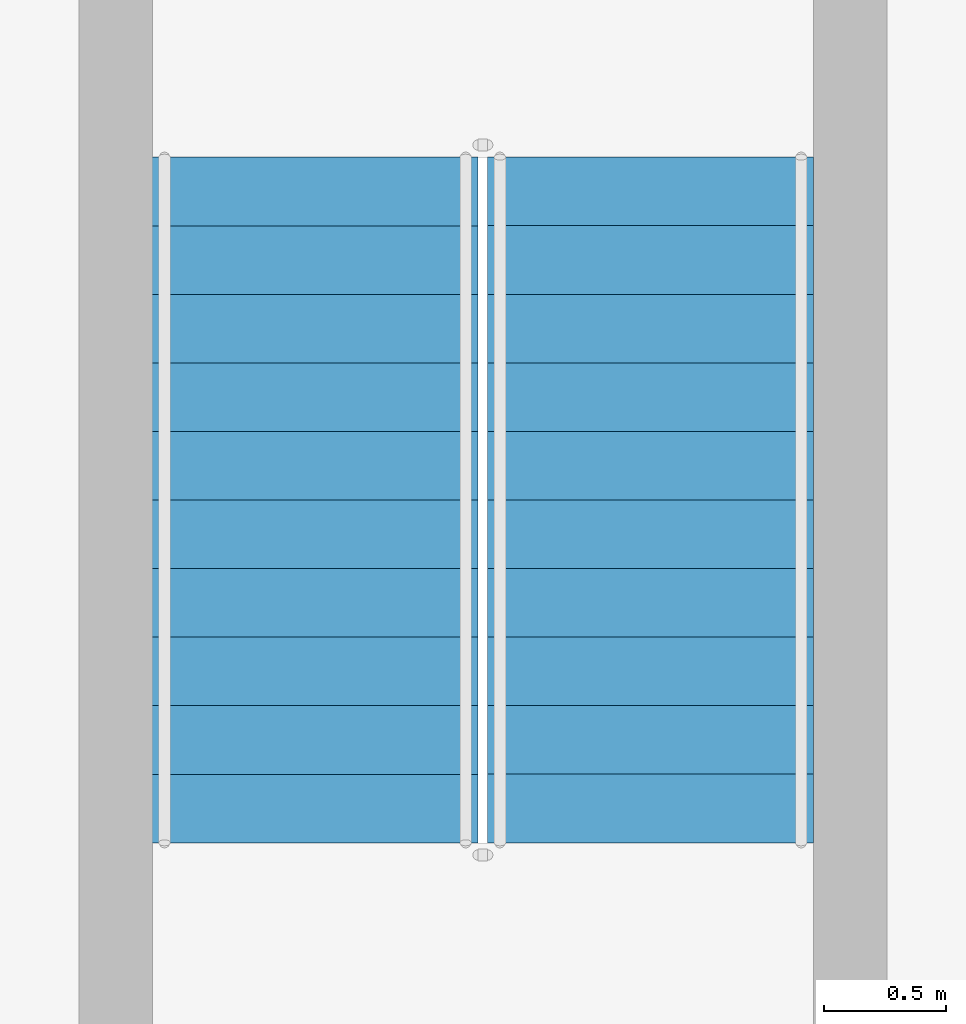
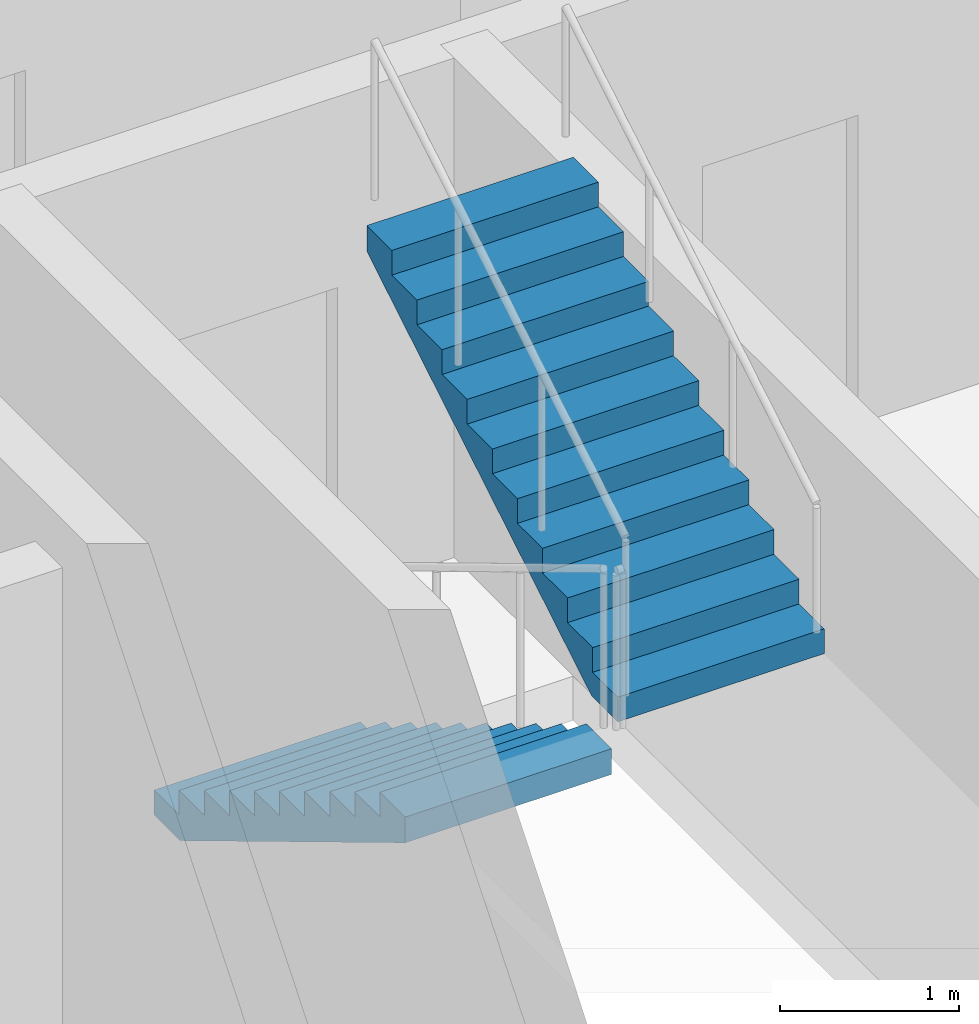
# One storey, part 14 of 17: 2 stair flights, 1 element without a shape of its own.
"""IFC4 building model written with IfcOpenShell, lengths in metres."""

import ifcopenshell
import ifcopenshell.guid

model = None  # the IFC model being written
_history = None  # IfcOwnerHistory: only IFC2X3 demands one
_inside = {}  # id of a spatial element -> (the spatial element, [elements in it])
_under = {}  # id of a project, library or spatial element -> (it, [spatial elements below it])
_declared = {}  # id of a project -> (the project, [libraries it declares])
_typed = {}  # id of a type object -> (the type object, [elements of that type])
_made_of = {}  # id of a material, layer set ... -> (it, [elements and type objects made of it])


def new_model(schema):
    """Start an empty IFC model of exactly this schema.

    Asked for "IFC4X3", IfcOpenShell would pick the latest addendum, in which some entities
    have other attributes; the version numbers below select the first issue.
    IFC2X3 requires an IfcOwnerHistory on every rooted entity: one is made here for all.
    """
    global model, _history
    if schema == "IFC4X3":
        model = ifcopenshell.file(schema_version=(4, 3, 0, 0))
    else:
        model = ifcopenshell.file(schema=schema)
    _inside.clear()
    _under.clear()
    _declared.clear()
    _typed.clear()
    _made_of.clear()
    _history = None
    if model.schema == "IFC2X3":
        org = make("IfcOrganization", Name="unknown")
        user = make(
            "IfcPersonAndOrganization",
            ThePerson=make("IfcPerson", FamilyName="unknown"),
            TheOrganization=org,
        )
        app = make(
            "IfcApplication",
            ApplicationDeveloper=org,
            Version="unknown",
            ApplicationFullName="unknown",
            ApplicationIdentifier="unknown",
        )
        _history = make(
            "IfcOwnerHistory",
            OwningUser=user,
            OwningApplication=app,
            ChangeAction="ADDED",
            CreationDate=0,
        )
    return model


def make(cls, **values):
    """One entity of the class cls with the attributes given. An attribute that is None is left unset."""
    return model.create_entity(
        cls, **{name: value for name, value in values.items() if value is not None}
    )


def rooted(cls, **values):
    """An entity with a GlobalId (a new one), such as an element, a storey or a relation."""
    return make(cls, GlobalId=ifcopenshell.guid.new(), OwnerHistory=_history, **values)


def si_unit(unit_type, name, prefix=None):
    """IfcSIUnit, for example si_unit("LENGTHUNIT", "METRE", prefix="MILLI")."""
    return make("IfcSIUnit", UnitType=unit_type, Prefix=prefix, Name=name)


def assignment(units):
    """IfcUnitAssignment: the units of a project."""
    return None if units is None else make("IfcUnitAssignment", Units=units)


def point(xyz):
    """IfcCartesianPoint."""
    return None if xyz is None else make("IfcCartesianPoint", Coordinates=xyz)


def direction(xyz):
    """IfcDirection."""
    return None if xyz is None else make("IfcDirection", DirectionRatios=xyz)


def frame(location, z_axis=None, x_axis=None):
    """IfcAxis2Placement3D, a coordinate frame: its origin and axes. An axis left out is left unset."""
    return make(
        "IfcAxis2Placement3D",
        Location=point(location),
        Axis=direction(z_axis),
        RefDirection=direction(x_axis),
    )


def origin():
    """The frame at (0, 0, 0) with its axes left unset."""
    return frame((0.0, 0.0, 0.0))


def place(relative_to, where):
    """IfcLocalPlacement: puts the frame where relative to a parent placement (None: the world)."""
    return make(
        "IfcLocalPlacement", PlacementRelTo=relative_to, RelativePlacement=where
    )


def context(
    kind, dimensions, precision=None, world=None, true_north=None, identifier=None
):
    """IfcGeometricRepresentationContext, for example the 3D "Model" context."""
    return make(
        "IfcGeometricRepresentationContext",
        ContextIdentifier=identifier,
        ContextType=kind,
        CoordinateSpaceDimension=dimensions,
        Precision=precision,
        WorldCoordinateSystem=world,
        TrueNorth=true_north,
    )


def subcontext(parent, identifier, kind, view, scale=None):
    """IfcGeometricRepresentationSubContext, for example "Body" below "Model"."""
    return make(
        "IfcGeometricRepresentationSubContext",
        ContextIdentifier=identifier,
        ContextType=kind,
        ParentContext=parent,
        TargetScale=scale,
        TargetView=view,
    )


def project(units=None, contexts=None):
    """IfcProject with its units and contexts."""
    return rooted(
        "IfcProject",
        Name="project",
        RepresentationContexts=contexts,
        UnitsInContext=assignment(units),
    )


def spatial(cls, under=None, at=None, **own):
    """A site, building, storey or space (cls), placed at a placement, below another one or the project."""
    s = rooted(cls, ObjectPlacement=at, **own)
    if under is not None:
        _under.setdefault(under.id(), (under, []))[1].append(s)
    return s


def point_list(points):
    """IfcCartesianPointList2D or 3D."""
    cls = (
        "IfcCartesianPointList2D" if len(points[0]) == 2 else "IfcCartesianPointList3D"
    )
    return make(cls, CoordList=points)


def triangles(points, corners, closed=None, point_numbers=None):
    """IfcTriangulatedFaceSet: each triangle names its three corners, points numbered from 1."""
    return make(
        "IfcTriangulatedFaceSet",
        Coordinates=point_list(points),
        Closed=closed,
        CoordIndex=corners,
        PnIndex=point_numbers,
    )


def shape(context_of_items, identifier, shape_type, items):
    """IfcShapeRepresentation: the items that make up one representation, for example the "Body"."""
    return make(
        "IfcShapeRepresentation",
        ContextOfItems=context_of_items,
        RepresentationIdentifier=identifier,
        RepresentationType=shape_type,
        Items=items,
    )


def source(mapping_origin, context_of_items, identifier, shape_type, items):
    """IfcRepresentationMap: a shape defined once, which mapped items show again and again."""
    return make(
        "IfcRepresentationMap",
        MappingOrigin=mapping_origin,
        MappedRepresentation=shape(context_of_items, identifier, shape_type, items),
    )


def transform(
    local_origin,
    x_axis=None,
    y_axis=None,
    z_axis=None,
    scale=None,
    scale2=None,
    scale3=None,
    uniform=True,
):
    """IfcCartesianTransformationOperator3D, or its non-uniform kind. x_axis, y_axis, z_axis: its Axis1, 2, 3."""
    if uniform:
        return make(
            "IfcCartesianTransformationOperator3D",
            Axis1=direction(x_axis),
            Axis2=direction(y_axis),
            LocalOrigin=point(local_origin),
            Scale=scale,
            Axis3=direction(z_axis),
        )
    return make(
        "IfcCartesianTransformationOperator3DnonUniform",
        Axis1=direction(x_axis),
        Axis2=direction(y_axis),
        LocalOrigin=point(local_origin),
        Scale=scale,
        Axis3=direction(z_axis),
        Scale2=scale2,
        Scale3=scale3,
    )


def mapped(mapping_source, mapping_target):
    """IfcMappedItem: shows the shape of a source again, moved by a transform."""
    return make(
        "IfcMappedItem", MappingSource=mapping_source, MappingTarget=mapping_target
    )


def material(Name=None, Category=None):
    """IfcMaterial."""
    return make("IfcMaterial", Name=Name, Category=Category)


def made_of(thing, what):
    """Note that an element or type object is made of a material, layer set ...; save() writes the relation."""
    if what is not None:
        _made_of.setdefault(what.id(), (what, []))[1].append(thing)
    return thing


def type_object(cls, material=None, **own):
    """A type object (cls), such as IfcWallType, which elements share."""
    return made_of(rooted(cls, **own), material)


def element(
    cls,
    number,
    at=None,
    inside=None,
    cuts=None,
    type_object=None,
    material=None,
    context=None,
    identifier="Body",
    shape_type=None,
    held_by="IfcProductDefinitionShape",
    body=None,
    shapes=None,
    **own,
):
    """One element of the class cls, such as IfcWall. Its Tag is "e" and its number.

    at: its placement. inside: the storey or other place that contains it. cuts: it is an
    opening in that element (IfcRelVoidsElement). A single representation is given by context,
    identifier, shape_type and body (its items); several are given by shapes. held_by: the class
    of the entity that holds the representations. save() writes the other relations.
    """
    e = rooted(cls, Tag="e%d" % number, ObjectPlacement=at, **own)
    if body is not None:
        shapes = [shape(context, identifier, shape_type, body)]
    if shapes is not None:
        e.Representation = make(held_by, Representations=shapes)
    if inside is not None:
        _inside.setdefault(inside.id(), (inside, []))[1].append(e)
    if cuts is not None:
        rooted(
            "IfcRelVoidsElement", RelatingBuildingElement=cuts, RelatedOpeningElement=e
        )
    if type_object is not None:
        _typed.setdefault(type_object.id(), (type_object, []))[1].append(e)
    return made_of(e, material)


def aggregate(whole, parts):
    """IfcRelAggregates: a whole, such as a stair, and the parts it consists of."""
    return rooted("IfcRelAggregates", RelatingObject=whole, RelatedObjects=parts)


def save(model, path):
    """Write the relations noted so far, then the file.

    IfcRelAggregates (storeys below a building ...), IfcRelContainedInSpatialStructure (elements
    in a storey), IfcRelDefinesByType, IfcRelAssociatesMaterial and IfcRelDeclares: one each for
    every whole, place, type object, material and project.
    """
    for whole, parts in _under.values():
        aggregate(whole, parts)
    for where, things in _inside.values():
        rooted(
            "IfcRelContainedInSpatialStructure",
            RelatedElements=things,
            RelatingStructure=where,
        )
    for kind, things in _typed.values():
        rooted("IfcRelDefinesByType", RelatedObjects=things, RelatingType=kind)
    for what, things in _made_of.values():
        rooted("IfcRelAssociatesMaterial", RelatedObjects=things, RelatingMaterial=what)
    for by, libraries in _declared.values():
        rooted("IfcRelDeclares", RelatingContext=by, RelatedDefinitions=libraries)
    model.write(path)


model = new_model("IFC4")

# Units and contexts
model_context = context("Model", 3, precision=1e-05, world=origin(), true_north=direction((0.0, 1.0)))
body_context = subcontext(model_context, "Body", "Model", "MODEL_VIEW")
ifc_project = project(units=[si_unit("LENGTHUNIT", "METRE"), si_unit("AREAUNIT", "SQUARE_METRE"), si_unit("VOLUMEUNIT", "CUBIC_METRE"), si_unit("PLANEANGLEUNIT", "RADIAN"), si_unit("MASSUNIT", "GRAM", prefix="KILO")], contexts=[model_context])

# Site, building, storey
site_placement = place(None, origin())
site = spatial("IfcSite", under=ifc_project, at=site_placement, CompositionType="ELEMENT")
building_placement = place(site_placement, origin())
building = spatial("IfcBuilding", under=site, at=building_placement, Name="Ogive Portal Towers", CompositionType="ELEMENT")
storey_placement = place(building_placement, frame((0.0, 0.0, 221.699951171875)))
storey = spatial("IfcBuildingStorey", under=building, at=storey_placement, Name="L55", CompositionType="ELEMENT", Elevation=221.699951171875)

# Stair, stair flights
ifc_material = material(Name="Concrete C40/50", Category="concrete")
stair_type = type_object("IfcStairType", Name="INT-STAIR", PredefinedType="HALF_TURN_STAIR", material=ifc_material)
stair_placement = place(storey_placement, origin())
stair = element("IfcStair", 1, at=stair_placement, inside=storey, type_object=stair_type, Name="L55 Exit Stair ST-A4", PredefinedType="HALF_TURN_STAIR")
stair_flight_type = type_object("IfcStairFlightType", Name="INT-FLIGHT", PredefinedType="STRAIGHT", material=ifc_material)
shared_shape = source(origin(), body_context, "Body", "Tessellation", [
    triangles([(0.0, -0.6650390625, 0.0), (0.0, -0.384765625, 0.0), (0.0, -0.197021484375, 0.0), (0.0, -0.0830078125, 0.0), (0.0, -0.024658203125, 0.0), (0.0, -0.003173828125, 0.0), (0.0, 0.0, 0.0), (0.0, 0.003173828125, 0.0), (0.0, 0.024658203125, 0.0), (0.0, 0.0830078125, 0.0), (0.0, 0.197021484375, 0.0), (0.0, 0.384765625, 0.0), (0.0, 0.6650390625, 0.0), (0.0, -0.6650390625, 0.168212890625), (0.0, -0.384765625, 0.168212890625), (0.0, -0.197021484375, 0.168212890625), (0.0, -0.0830078125, 0.168212890625), (0.0, -0.024658203125, 0.168212890625), (0.0, -0.003173828125, 0.168212890625), (0.0, 0.0, 0.168212890625), (0.0, 0.003173828125, 0.168212890625), (0.0, 0.024658203125, 0.168212890625), (0.0, 0.0830078125, 0.168212890625), (0.0, 0.197021484375, 0.168212890625), (0.0, 0.384765625, 0.168212890625), (0.0, 0.6650390625, 0.168212890625), (0.280029296875, -0.6650390625, 0.168212890625), (0.280029296875, -0.384765625, 0.168212890625), (0.280029296875, -0.197021484375, 0.168212890625), (0.280029296875, -0.0830078125, 0.168212890625), (0.280029296875, -0.024658203125, 0.168212890625), (0.280029296875, -0.003173828125, 0.168212890625), (0.280029296875, 0.0, 0.168212890625), (0.280029296875, 0.003173828125, 0.168212890625), (0.280029296875, 0.024658203125, 0.168212890625), (0.280029296875, 0.0830078125, 0.168212890625), (0.280029296875, 0.197021484375, 0.168212890625), (0.280029296875, 0.384765625, 0.168212890625), (0.280029296875, 0.6650390625, 0.168212890625), (0.280029296875, -0.6650390625, 0.33642578125), (0.280029296875, -0.384765625, 0.33642578125), (0.280029296875, -0.197021484375, 0.33642578125), (0.280029296875, -0.0830078125, 0.33642578125), (0.280029296875, -0.024658203125, 0.33642578125), (0.280029296875, -0.003173828125, 0.33642578125), (0.280029296875, 0.0, 0.33642578125), (0.280029296875, 0.003173828125, 0.33642578125), (0.280029296875, 0.024658203125, 0.33642578125), (0.280029296875, 0.0830078125, 0.33642578125), (0.280029296875, 0.197021484375, 0.33642578125), (0.280029296875, 0.384765625, 0.33642578125), (0.280029296875, 0.6650390625, 0.33642578125), (0.56005859375, -0.6650390625, 0.33642578125), (0.56005859375, -0.384765625, 0.33642578125), (0.56005859375, -0.197021484375, 0.33642578125), (0.56005859375, -0.0830078125, 0.33642578125), (0.56005859375, -0.024658203125, 0.33642578125), (0.56005859375, -0.003173828125, 0.33642578125), (0.56005859375, 0.0, 0.33642578125), (0.56005859375, 0.003173828125, 0.33642578125), (0.56005859375, 0.024658203125, 0.33642578125), (0.56005859375, 0.0830078125, 0.33642578125), (0.56005859375, 0.197021484375, 0.33642578125), (0.56005859375, 0.384765625, 0.33642578125), (0.56005859375, 0.6650390625, 0.33642578125), (0.56005859375, -0.6650390625, 0.504638671875), (0.56005859375, -0.384765625, 0.504638671875), (0.56005859375, -0.197021484375, 0.504638671875), (0.56005859375, -0.0830078125, 0.504638671875), (0.56005859375, -0.024658203125, 0.504638671875), (0.56005859375, -0.003173828125, 0.504638671875), (0.56005859375, 0.0, 0.504638671875), (0.56005859375, 0.003173828125, 0.504638671875), (0.56005859375, 0.024658203125, 0.504638671875), (0.56005859375, 0.0830078125, 0.504638671875), (0.56005859375, 0.197021484375, 0.504638671875), (0.56005859375, 0.384765625, 0.504638671875), (0.56005859375, 0.6650390625, 0.504638671875), (0.840087890625, -0.6650390625, 0.504638671875), (0.840087890625, -0.384765625, 0.504638671875), (0.840087890625, -0.197021484375, 0.504638671875), (0.840087890625, -0.0830078125, 0.504638671875), (0.840087890625, -0.024658203125, 0.504638671875), (0.840087890625, -0.003173828125, 0.504638671875), (0.840087890625, 0.0, 0.504638671875), (0.840087890625, 0.003173828125, 0.504638671875), (0.840087890625, 0.024658203125, 0.504638671875), (0.840087890625, 0.0830078125, 0.504638671875), (0.840087890625, 0.197021484375, 0.504638671875), (0.840087890625, 0.384765625, 0.504638671875), (0.840087890625, 0.6650390625, 0.504638671875), (0.840087890625, -0.6650390625, 0.672607421875), (0.840087890625, -0.384765625, 0.672607421875), (0.840087890625, -0.197021484375, 0.672607421875), (0.840087890625, -0.0830078125, 0.672607421875), (0.840087890625, -0.024658203125, 0.672607421875), (0.840087890625, -0.003173828125, 0.672607421875), (0.840087890625, 0.0, 0.672607421875), (0.840087890625, 0.003173828125, 0.672607421875), (0.840087890625, 0.024658203125, 0.672607421875), (0.840087890625, 0.0830078125, 0.672607421875), (0.840087890625, 0.197021484375, 0.672607421875), (0.840087890625, 0.384765625, 0.672607421875), (0.840087890625, 0.6650390625, 0.672607421875), (1.1201171875, -0.6650390625, 0.672607421875), (1.1201171875, -0.384765625, 0.672607421875), (1.1201171875, -0.197021484375, 0.672607421875), (1.1201171875, -0.0830078125, 0.672607421875), (1.1201171875, -0.024658203125, 0.672607421875), (1.1201171875, -0.003173828125, 0.672607421875), (1.1201171875, 0.0, 0.672607421875), (1.1201171875, 0.003173828125, 0.672607421875), (1.1201171875, 0.024658203125, 0.672607421875), (1.1201171875, 0.0830078125, 0.672607421875), (1.1201171875, 0.197021484375, 0.672607421875), (1.1201171875, 0.384765625, 0.672607421875), (1.1201171875, 0.6650390625, 0.672607421875), (1.1201171875, -0.6650390625, 0.8408203125), (1.1201171875, -0.384765625, 0.8408203125), (1.1201171875, -0.197021484375, 0.8408203125), (1.1201171875, -0.0830078125, 0.8408203125), (1.1201171875, -0.024658203125, 0.8408203125), (1.1201171875, -0.003173828125, 0.8408203125), (1.1201171875, 0.0, 0.8408203125), (1.1201171875, 0.003173828125, 0.8408203125), (1.1201171875, 0.024658203125, 0.8408203125), (1.1201171875, 0.0830078125, 0.8408203125), (1.1201171875, 0.197021484375, 0.8408203125), (1.1201171875, 0.384765625, 0.8408203125), (1.1201171875, 0.6650390625, 0.8408203125), (1.39990234375, -0.6650390625, 0.8408203125), (1.39990234375, -0.384765625, 0.8408203125), (1.39990234375, -0.197021484375, 0.8408203125), (1.39990234375, -0.0830078125, 0.8408203125), (1.39990234375, -0.024658203125, 0.8408203125), (1.39990234375, -0.003173828125, 0.8408203125), (1.39990234375, 0.0, 0.8408203125), (1.39990234375, 0.003173828125, 0.8408203125), (1.39990234375, 0.024658203125, 0.8408203125), (1.39990234375, 0.0830078125, 0.8408203125), (1.39990234375, 0.197021484375, 0.8408203125), (1.39990234375, 0.384765625, 0.8408203125), (1.39990234375, 0.6650390625, 0.8408203125), (1.39990234375, -0.6650390625, 1.009033203125), (1.39990234375, -0.384765625, 1.009033203125), (1.39990234375, -0.197021484375, 1.009033203125), (1.39990234375, -0.0830078125, 1.009033203125), (1.39990234375, -0.024658203125, 1.009033203125), (1.39990234375, -0.003173828125, 1.009033203125), (1.39990234375, 0.0, 1.009033203125), (1.39990234375, 0.003173828125, 1.009033203125), (1.39990234375, 0.024658203125, 1.009033203125), (1.39990234375, 0.0830078125, 1.009033203125), (1.39990234375, 0.197021484375, 1.009033203125), (1.39990234375, 0.384765625, 1.009033203125), (1.39990234375, 0.6650390625, 1.009033203125), (1.679931640625, -0.6650390625, 1.009033203125), (1.679931640625, -0.384765625, 1.009033203125), (1.679931640625, -0.197021484375, 1.009033203125), (1.679931640625, -0.0830078125, 1.009033203125), (1.679931640625, -0.024658203125, 1.009033203125), (1.679931640625, -0.003173828125, 1.009033203125), (1.679931640625, 0.0, 1.009033203125), (1.679931640625, 0.003173828125, 1.009033203125), (1.679931640625, 0.024658203125, 1.009033203125), (1.679931640625, 0.0830078125, 1.009033203125), (1.679931640625, 0.197021484375, 1.009033203125), (1.679931640625, 0.384765625, 1.009033203125), (1.679931640625, 0.6650390625, 1.009033203125), (1.679931640625, -0.6650390625, 1.17724609375), (1.679931640625, -0.384765625, 1.17724609375), (1.679931640625, -0.197021484375, 1.17724609375), (1.679931640625, -0.0830078125, 1.17724609375), (1.679931640625, -0.024658203125, 1.17724609375), (1.679931640625, -0.003173828125, 1.17724609375), (1.679931640625, 0.0, 1.17724609375), (1.679931640625, 0.003173828125, 1.17724609375), (1.679931640625, 0.024658203125, 1.17724609375), (1.679931640625, 0.0830078125, 1.17724609375), (1.679931640625, 0.197021484375, 1.17724609375), (1.679931640625, 0.384765625, 1.17724609375), (1.679931640625, 0.6650390625, 1.17724609375), (1.9599609375, -0.6650390625, 1.17724609375), (1.9599609375, -0.384765625, 1.17724609375), (1.9599609375, -0.197021484375, 1.17724609375), (1.9599609375, -0.0830078125, 1.17724609375), (1.9599609375, -0.024658203125, 1.17724609375), (1.9599609375, -0.003173828125, 1.17724609375), (1.9599609375, 0.0, 1.17724609375), (1.9599609375, 0.003173828125, 1.17724609375), (1.9599609375, 0.024658203125, 1.17724609375), (1.9599609375, 0.0830078125, 1.17724609375), (1.9599609375, 0.197021484375, 1.17724609375), (1.9599609375, 0.384765625, 1.17724609375), (1.9599609375, 0.6650390625, 1.17724609375), (1.9599609375, -0.6650390625, 1.345458984375), (1.9599609375, -0.384765625, 1.345458984375), (1.9599609375, -0.197021484375, 1.345458984375), (1.9599609375, -0.0830078125, 1.345458984375), (1.9599609375, -0.024658203125, 1.345458984375), (1.9599609375, -0.003173828125, 1.345458984375), (1.9599609375, 0.0, 1.345458984375), (1.9599609375, 0.003173828125, 1.345458984375), (1.9599609375, 0.024658203125, 1.345458984375), (1.9599609375, 0.0830078125, 1.345458984375), (1.9599609375, 0.197021484375, 1.345458984375), (1.9599609375, 0.384765625, 1.345458984375), (1.9599609375, 0.6650390625, 1.345458984375), (2.239990234375, -0.6650390625, 1.345458984375), (2.239990234375, -0.384765625, 1.345458984375), (2.239990234375, -0.197021484375, 1.345458984375), (2.239990234375, -0.0830078125, 1.345458984375), (2.239990234375, -0.024658203125, 1.345458984375), (2.239990234375, -0.003173828125, 1.345458984375), (2.239990234375, 0.0, 1.345458984375), (2.239990234375, 0.003173828125, 1.345458984375), (2.239990234375, 0.024658203125, 1.345458984375), (2.239990234375, 0.0830078125, 1.345458984375), (2.239990234375, 0.197021484375, 1.345458984375), (2.239990234375, 0.384765625, 1.345458984375), (2.239990234375, 0.6650390625, 1.345458984375), (2.239990234375, -0.6650390625, 1.513671875), (2.239990234375, -0.384765625, 1.513671875), (2.239990234375, -0.197021484375, 1.513671875), (2.239990234375, -0.0830078125, 1.513671875), (2.239990234375, -0.024658203125, 1.513671875), (2.239990234375, -0.003173828125, 1.513671875), (2.239990234375, 0.0, 1.513671875), (2.239990234375, 0.003173828125, 1.513671875), (2.239990234375, 0.024658203125, 1.513671875), (2.239990234375, 0.0830078125, 1.513671875), (2.239990234375, 0.197021484375, 1.513671875), (2.239990234375, 0.384765625, 1.513671875), (2.239990234375, 0.6650390625, 1.513671875), (2.52001953125, -0.6650390625, 1.513671875), (2.52001953125, -0.384765625, 1.513671875), (2.52001953125, -0.197021484375, 1.513671875), (2.52001953125, -0.0830078125, 1.513671875), (2.52001953125, -0.024658203125, 1.513671875), (2.52001953125, -0.003173828125, 1.513671875), (2.52001953125, 0.0, 1.513671875), (2.52001953125, 0.003173828125, 1.513671875), (2.52001953125, 0.024658203125, 1.513671875), (2.52001953125, 0.0830078125, 1.513671875), (2.52001953125, 0.197021484375, 1.513671875), (2.52001953125, 0.384765625, 1.513671875), (2.52001953125, 0.6650390625, 1.513671875), (2.52001953125, -0.6650390625, 1.681884765625), (2.52001953125, -0.384765625, 1.681884765625), (2.52001953125, -0.197021484375, 1.681884765625), (2.52001953125, -0.0830078125, 1.681884765625), (2.52001953125, -0.024658203125, 1.681884765625), (2.52001953125, -0.003173828125, 1.681884765625), (2.52001953125, 0.0, 1.681884765625), (2.52001953125, 0.003173828125, 1.681884765625), (2.52001953125, 0.024658203125, 1.681884765625), (2.52001953125, 0.0830078125, 1.681884765625), (2.52001953125, 0.197021484375, 1.681884765625), (2.52001953125, 0.384765625, 1.681884765625), (2.52001953125, 0.6650390625, 1.681884765625), (2.800048828125, -0.6650390625, 1.681884765625), (2.800048828125, -0.384765625, 1.681884765625), (2.800048828125, -0.197021484375, 1.681884765625), (2.800048828125, -0.0830078125, 1.681884765625), (2.800048828125, -0.024658203125, 1.681884765625), (2.800048828125, -0.003173828125, 1.681884765625), (2.800048828125, 0.0, 1.681884765625), (2.800048828125, 0.003173828125, 1.681884765625), (2.800048828125, 0.024658203125, 1.681884765625), (2.800048828125, 0.0830078125, 1.681884765625), (2.800048828125, 0.197021484375, 1.681884765625), (2.800048828125, 0.384765625, 1.681884765625), (2.800048828125, 0.6650390625, 1.681884765625), (2.800048828125, -0.6650390625, 1.5068359375), (2.800048828125, -0.384765625, 1.5068359375), (2.800048828125, -0.197021484375, 1.5068359375), (2.800048828125, -0.0830078125, 1.5068359375), (2.800048828125, -0.024658203125, 1.5068359375), (2.800048828125, -0.003173828125, 1.5068359375), (2.800048828125, 0.0, 1.5068359375), (2.800048828125, 0.003173828125, 1.5068359375), (2.800048828125, 0.024658203125, 1.5068359375), (2.800048828125, 0.0830078125, 1.5068359375), (2.800048828125, 0.197021484375, 1.5068359375), (2.800048828125, 0.384765625, 1.5068359375), (2.800048828125, 0.6650390625, 1.5068359375), (0.291015625, -0.6650390625, 0.0), (0.291015625, -0.384765625, 0.0), (0.291015625, -0.197021484375, 0.0), (0.291015625, -0.0830078125, 0.0), (0.291015625, -0.024658203125, 0.0), (0.291015625, -0.003173828125, 0.0), (0.291015625, 0.0, 0.0), (0.291015625, 0.003173828125, 0.0), (0.291015625, 0.024658203125, 0.0), (0.291015625, 0.0830078125, 0.0), (0.291015625, 0.197021484375, 0.0), (0.291015625, 0.384765625, 0.0), (0.291015625, 0.6650390625, 0.0)], [[1, 14, 15], [1, 15, 2], [2, 15, 16], [2, 16, 3], [3, 16, 17], [3, 17, 4], [4, 17, 18], [4, 18, 5], [5, 18, 19], [5, 19, 6], [6, 19, 20], [6, 20, 7], [7, 20, 21], [7, 21, 8], [8, 21, 22], [8, 22, 9], [9, 22, 23], [9, 23, 10], [10, 23, 24], [10, 24, 11], [11, 24, 25], [11, 25, 12], [12, 25, 26], [12, 26, 13], [14, 27, 28], [14, 28, 15], [15, 28, 29], [15, 29, 16], [16, 29, 30], [16, 30, 17], [17, 30, 31], [17, 31, 18], [18, 31, 32], [18, 32, 19], [19, 32, 33], [19, 33, 20], [20, 33, 34], [20, 34, 21], [21, 34, 35], [21, 35, 22], [22, 35, 36], [22, 36, 23], [23, 36, 37], [23, 37, 24], [24, 37, 38], [24, 38, 25], [25, 38, 39], [25, 39, 26], [27, 40, 41], [27, 41, 28], [28, 41, 42], [28, 42, 29], [29, 42, 43], [29, 43, 30], [30, 43, 44], [30, 44, 31], [31, 44, 45], [31, 45, 32], [32, 45, 46], [32, 46, 33], [33, 46, 47], [33, 47, 34], [34, 47, 48], [34, 48, 35], [35, 48, 49], [35, 49, 36], [36, 49, 50], [36, 50, 37], [37, 50, 51], [37, 51, 38], [38, 51, 52], [38, 52, 39], [40, 53, 54], [40, 54, 41], [41, 54, 55], [41, 55, 42], [42, 55, 56], [42, 56, 43], [43, 56, 57], [43, 57, 44], [44, 57, 58], [44, 58, 45], [45, 58, 59], [45, 59, 46], [46, 59, 60], [46, 60, 47], [47, 60, 61], [47, 61, 48], [48, 61, 62], [48, 62, 49], [49, 62, 63], [49, 63, 50], [50, 63, 64], [50, 64, 51], [51, 64, 65], [51, 65, 52], [53, 66, 67], [53, 67, 54], [54, 67, 68], [54, 68, 55], [55, 68, 69], [55, 69, 56], [56, 69, 70], [56, 70, 57], [57, 70, 71], [57, 71, 58], [58, 71, 72], [58, 72, 59], [59, 72, 73], [59, 73, 60], [60, 73, 74], [60, 74, 61], [61, 74, 75], [61, 75, 62], [62, 75, 76], [62, 76, 63], [63, 76, 77], [63, 77, 64], [64, 77, 78], [64, 78, 65], [66, 79, 80], [66, 80, 67], [67, 80, 81], [67, 81, 68], [68, 81, 82], [68, 82, 69], [69, 82, 83], [69, 83, 70], [70, 83, 84], [70, 84, 71], [71, 84, 85], [71, 85, 72], [72, 85, 86], [72, 86, 73], [73, 86, 87], [73, 87, 74], [74, 87, 88], [74, 88, 75], [75, 88, 89], [75, 89, 76], [76, 89, 90], [76, 90, 77], [77, 90, 91], [77, 91, 78], [79, 92, 93], [79, 93, 80], [80, 93, 94], [80, 94, 81], [81, 94, 95], [81, 95, 82], [82, 95, 96], [82, 96, 83], [83, 96, 97], [83, 97, 84], [84, 97, 98], [84, 98, 85], [85, 98, 99], [85, 99, 86], [86, 99, 100], [86, 100, 87], [87, 100, 101], [87, 101, 88], [88, 101, 102], [88, 102, 89], [89, 102, 103], [89, 103, 90], [90, 103, 104], [90, 104, 91], [92, 105, 106], [92, 106, 93], [93, 106, 107], [93, 107, 94], [94, 107, 108], [94, 108, 95], [95, 108, 109], [95, 109, 96], [96, 109, 110], [96, 110, 97], [97, 110, 111], [97, 111, 98], [98, 111, 112], [98, 112, 99], [99, 112, 113], [99, 113, 100], [100, 113, 114], [100, 114, 101], [101, 114, 115], [101, 115, 102], [102, 115, 116], [102, 116, 103], [103, 116, 117], [103, 117, 104], [105, 118, 119], [105, 119, 106], [106, 119, 120], [106, 120, 107], [107, 120, 121], [107, 121, 108], [108, 121, 122], [108, 122, 109], [109, 122, 123], [109, 123, 110], [110, 123, 124], [110, 124, 111], [111, 124, 125], [111, 125, 112], [112, 125, 126], [112, 126, 113], [113, 126, 127], [113, 127, 114], [114, 127, 128], [114, 128, 115], [115, 128, 129], [115, 129, 116], [116, 129, 130], [116, 130, 117], [118, 131, 132], [118, 132, 119], [119, 132, 133], [119, 133, 120], [120, 133, 134], [120, 134, 121], [121, 134, 135], [121, 135, 122], [122, 135, 136], [122, 136, 123], [123, 136, 137], [123, 137, 124], [124, 137, 138], [124, 138, 125], [125, 138, 139], [125, 139, 126], [126, 139, 140], [126, 140, 127], [127, 140, 141], [127, 141, 128], [128, 141, 142], [128, 142, 129], [129, 142, 143], [129, 143, 130], [131, 144, 145], [131, 145, 132], [132, 145, 146], [132, 146, 133], [133, 146, 147], [133, 147, 134], [134, 147, 148], [134, 148, 135], [135, 148, 149], [135, 149, 136], [136, 149, 150], [136, 150, 137], [137, 150, 151], [137, 151, 138], [138, 151, 152], [138, 152, 139], [139, 152, 153], [139, 153, 140], [140, 153, 154], [140, 154, 141], [141, 154, 155], [141, 155, 142], [142, 155, 156], [142, 156, 143], [144, 157, 158], [144, 158, 145], [145, 158, 159], [145, 159, 146], [146, 159, 160], [146, 160, 147], [147, 160, 161], [147, 161, 148], [148, 161, 162], [148, 162, 149], [149, 162, 163], [149, 163, 150], [150, 163, 164], [150, 164, 151], [151, 164, 165], [151, 165, 152], [152, 165, 166], [152, 166, 153], [153, 166, 167], [153, 167, 154], [154, 167, 168], [154, 168, 155], [155, 168, 169], [155, 169, 156], [157, 170, 171], [157, 171, 158], [158, 171, 172], [158, 172, 159], [159, 172, 173], [159, 173, 160], [160, 173, 174], [160, 174, 161], [161, 174, 175], [161, 175, 162], [162, 175, 176], [162, 176, 163], [163, 176, 177], [163, 177, 164], [164, 177, 178], [164, 178, 165], [165, 178, 179], [165, 179, 166], [166, 179, 180], [166, 180, 167], [167, 180, 181], [167, 181, 168], [168, 181, 182], [168, 182, 169], [170, 183, 184], [170, 184, 171], [171, 184, 185], [171, 185, 172], [172, 185, 186], [172, 186, 173], [173, 186, 187], [173, 187, 174], [174, 187, 188], [174, 188, 175], [175, 188, 189], [175, 189, 176], [176, 189, 190], [176, 190, 177], [177, 190, 191], [177, 191, 178], [178, 191, 192], [178, 192, 179], [179, 192, 193], [179, 193, 180], [180, 193, 194], [180, 194, 181], [181, 194, 195], [181, 195, 182], [183, 196, 197], [183, 197, 184], [184, 197, 198], [184, 198, 185], [185, 198, 199], [185, 199, 186], [186, 199, 200], [186, 200, 187], [187, 200, 201], [187, 201, 188], [188, 201, 202], [188, 202, 189], [189, 202, 203], [189, 203, 190], [190, 203, 204], [190, 204, 191], [191, 204, 205], [191, 205, 192], [192, 205, 206], [192, 206, 193], [193, 206, 207], [193, 207, 194], [194, 207, 208], [194, 208, 195], [196, 209, 210], [196, 210, 197], [197, 210, 211], [197, 211, 198], [198, 211, 212], [198, 212, 199], [199, 212, 213], [199, 213, 200], [200, 213, 214], [200, 214, 201], [201, 214, 215], [201, 215, 202], [202, 215, 216], [202, 216, 203], [203, 216, 217], [203, 217, 204], [204, 217, 218], [204, 218, 205], [205, 218, 219], [205, 219, 206], [206, 219, 220], [206, 220, 207], [207, 220, 221], [207, 221, 208], [209, 222, 223], [209, 223, 210], [210, 223, 224], [210, 224, 211], [211, 224, 225], [211, 225, 212], [212, 225, 226], [212, 226, 213], [213, 226, 227], [213, 227, 214], [214, 227, 228], [214, 228, 215], [215, 228, 229], [215, 229, 216], [216, 229, 230], [216, 230, 217], [217, 230, 231], [217, 231, 218], [218, 231, 232], [218, 232, 219], [219, 232, 233], [219, 233, 220], [220, 233, 234], [220, 234, 221], [222, 235, 236], [222, 236, 223], [223, 236, 237], [223, 237, 224], [224, 237, 238], [224, 238, 225], [225, 238, 239], [225, 239, 226], [226, 239, 240], [226, 240, 227], [227, 240, 241], [227, 241, 228], [228, 241, 242], [228, 242, 229], [229, 242, 243], [229, 243, 230], [230, 243, 244], [230, 244, 231], [231, 244, 245], [231, 245, 232], [232, 245, 246], [232, 246, 233], [233, 246, 247], [233, 247, 234], [235, 248, 249], [235, 249, 236], [236, 249, 250], [236, 250, 237], [237, 250, 251], [237, 251, 238], [238, 251, 252], [238, 252, 239], [239, 252, 253], [239, 253, 240], [240, 253, 254], [240, 254, 241], [241, 254, 255], [241, 255, 242], [242, 255, 256], [242, 256, 243], [243, 256, 257], [243, 257, 244], [244, 257, 258], [244, 258, 245], [245, 258, 259], [245, 259, 246], [246, 259, 260], [246, 260, 247], [248, 261, 262], [248, 262, 249], [249, 262, 263], [249, 263, 250], [250, 263, 264], [250, 264, 251], [251, 264, 265], [251, 265, 252], [252, 265, 266], [252, 266, 253], [253, 266, 267], [253, 267, 254], [254, 267, 268], [254, 268, 255], [255, 268, 269], [255, 269, 256], [256, 269, 270], [256, 270, 257], [257, 270, 271], [257, 271, 258], [258, 271, 272], [258, 272, 259], [259, 272, 273], [259, 273, 260], [261, 274, 275], [261, 275, 262], [262, 275, 276], [262, 276, 263], [263, 276, 277], [263, 277, 264], [264, 277, 278], [264, 278, 265], [265, 278, 279], [265, 279, 266], [266, 279, 280], [266, 280, 267], [267, 280, 281], [267, 281, 268], [268, 281, 282], [268, 282, 269], [269, 282, 283], [269, 283, 270], [270, 283, 284], [270, 284, 271], [271, 284, 285], [271, 285, 272], [272, 285, 286], [272, 286, 273], [274, 287, 288], [274, 288, 275], [275, 288, 289], [275, 289, 276], [276, 289, 290], [276, 290, 277], [277, 290, 291], [277, 291, 278], [278, 291, 292], [278, 292, 279], [279, 292, 293], [279, 293, 280], [280, 293, 294], [280, 294, 281], [281, 294, 295], [281, 295, 282], [282, 295, 296], [282, 296, 283], [283, 296, 297], [283, 297, 284], [284, 297, 298], [284, 298, 285], [285, 298, 299], [285, 299, 286], [287, 1, 2], [287, 2, 288], [288, 2, 3], [288, 3, 289], [289, 3, 4], [289, 4, 290], [290, 4, 5], [290, 5, 291], [291, 5, 6], [291, 6, 292], [292, 6, 7], [292, 7, 293], [293, 7, 8], [293, 8, 294], [294, 8, 9], [294, 9, 295], [295, 9, 10], [295, 10, 296], [296, 10, 11], [296, 11, 297], [297, 11, 12], [297, 12, 298], [298, 12, 13], [298, 13, 299], [1, 287, 274], [13, 286, 299], [274, 261, 248], [286, 260, 273], [274, 248, 235], [286, 247, 260], [274, 235, 222], [286, 234, 247], [274, 222, 209], [286, 221, 234], [209, 196, 183], [221, 195, 208], [274, 209, 183], [286, 195, 221], [183, 170, 157], [195, 169, 182], [274, 183, 157], [286, 169, 195], [157, 144, 131], [169, 143, 156], [274, 157, 131], [286, 143, 169], [131, 118, 105], [143, 117, 130], [274, 131, 105], [286, 117, 143], [1, 274, 105], [13, 117, 286], [105, 92, 79], [117, 91, 104], [79, 66, 53], [91, 65, 78], [105, 79, 53], [117, 65, 91], [53, 40, 27], [65, 39, 52], [105, 53, 27], [117, 39, 65], [1, 105, 27], [13, 39, 117], [27, 14, 1], [39, 13, 26]], closed=True),
])
stair_flight_1_placement = place(storey_placement, frame((87.6650390625, 29.169921875, 0.0), z_axis=(0.0, 0.0, 1.0), x_axis=(0.0, -1.0, 0.0)))
stair_flight_1 = element("IfcStairFlight", 2, at=stair_flight_1_placement, type_object=stair_flight_type, Name="ST-A4 flight 1", NumberOfRisers=11, NumberOfTreads=10, PredefinedType="STRAIGHT", RiserHeight=0.168181818, TreadLength=0.28, context=body_context, shape_type="MappedRepresentation", body=[
    mapped(shared_shape, transform((0.0, 0.0, 0.0), scale=1.0)),
])
stair_flight_2_placement = place(storey_placement, frame((89.034912109375, 26.3701171875, 1.85009765625), z_axis=(0.0, 0.0, 1.0), x_axis=(0.0, 1.0, 0.0)))
stair_flight_2 = element("IfcStairFlight", 3, at=stair_flight_2_placement, type_object=stair_flight_type, Name="ST-A4 flight 2", NumberOfRisers=11, NumberOfTreads=10, PredefinedType="STRAIGHT", RiserHeight=0.168181818, TreadLength=0.28, context=body_context, shape_type="MappedRepresentation", body=[
    mapped(shared_shape, transform((0.0, 0.0, 0.0), scale=1.0)),
])
aggregate(stair, [stair_flight_1, stair_flight_2])

save(model, "model.ifc")
